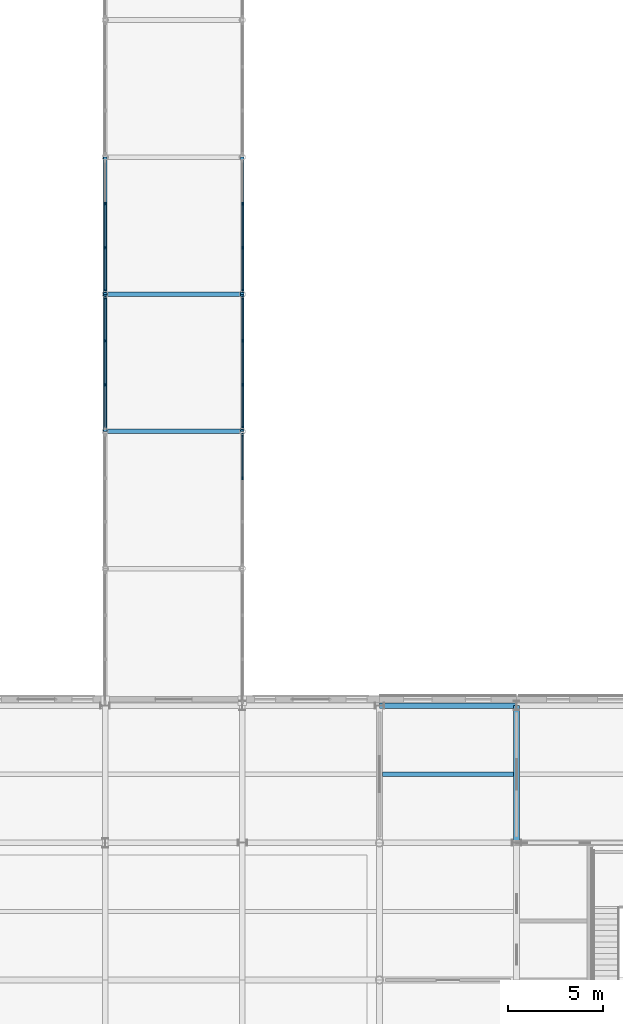
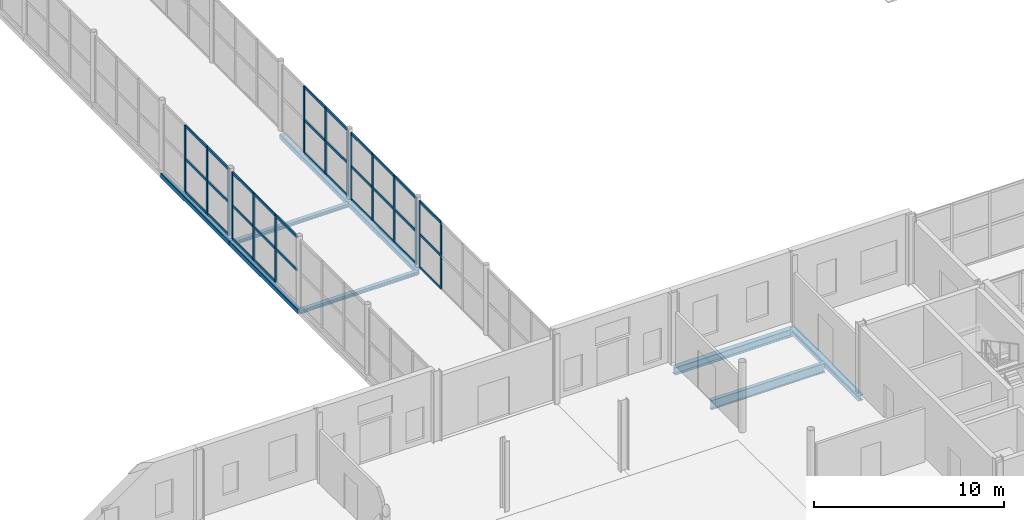
# One storey, part 29 of 92: 47 members, 9 beams, 5 elements without a shape of their own.
"""IFC4 building model written with IfcOpenShell, lengths in metres."""

from ifc_helpers import new_model, si_unit, direction, frame, origin, origin_2d, place, context, subcontext, project, spatial, rectangle, hollow_rectangle, i_section, extrude, material, material_profile, profile_set, type_object, element, aggregate, save


model = new_model("IFC4")

# Units and contexts
model_context = context("Model", 3, precision=1e-05, world=origin(), true_north=direction((0.0, 1.0)))
body_context = subcontext(model_context, "Body", "Model", "MODEL_VIEW")
ifc_project = project(units=[si_unit("LENGTHUNIT", "METRE"), si_unit("AREAUNIT", "SQUARE_METRE"), si_unit("VOLUMEUNIT", "CUBIC_METRE"), si_unit("PLANEANGLEUNIT", "RADIAN"), si_unit("MASSUNIT", "GRAM", prefix="KILO")], contexts=[model_context])

# Site, building, storey
site_placement = place(None, origin())
site = spatial("IfcSite", under=ifc_project, at=site_placement, CompositionType="ELEMENT")
building_placement = place(site_placement, origin())
building = spatial("IfcBuilding", under=site, at=building_placement, Name="Zlatovets Crest Museum", CompositionType="ELEMENT")
storey_placement = place(building_placement, origin())
storey = spatial("IfcBuildingStorey", under=building, at=storey_placement, Name="L00", CompositionType="ELEMENT", Elevation=0.0)

# Beams
ifc_material_1 = material(Name="Structural steel S355J2", Category="steel")
ifc_material_profile_1 = material_profile(ifc_material_1, i_section(OverallWidth=0.300048828125, OverallDepth=0.489990234375, WebThickness=0.011962890625, FlangeThickness=0.02294921875, FilletRadius=0.027099609375, at=origin_2d()), Name="HEA 500")
ifc_profile_set_1 = profile_set([ifc_material_profile_1], Name="Structural steel S355J2")
beam_type_1 = type_object("IfcBeamType", Name="Beam_B-01", PredefinedType="BEAM", material=ifc_profile_set_1)
beam_1_placement = place(storey_placement, frame((93.60009765625, 28.800048828125, -0.4951171875), z_axis=(1.0, 0.0, 0.0), x_axis=(0.0, 1.0, 0.0)))
element("IfcBeam", 1, at=beam_1_placement, inside=storey, type_object=beam_type_1, Name="V2 L00 Primary Girder B-01", PredefinedType="BEAM", context=body_context, shape_type="SweptSolid", body=[
    extrude(i_section(OverallWidth=0.300048828125, OverallDepth=0.489990234375, WebThickness=0.011962890625, FlangeThickness=0.02294921875, FilletRadius=0.027099609375, at=origin_2d()), origin(), (0.0, 0.0, 1.0), 7.199951171875),
])
ifc_material_profile_2 = material_profile(ifc_material_1, i_section(OverallWidth=0.300048828125, OverallDepth=0.35009765625, WebThickness=0.010009765625, FlangeThickness=0.017578125, FilletRadius=0.027099609375, at=origin_2d()), Name="HEA 360")
ifc_profile_set_2 = profile_set([ifc_material_profile_2], Name="Structural steel S355J2")
beam_type_2 = type_object("IfcBeamType", Name="Beam_B-03", PredefinedType="BEAM", material=ifc_profile_set_2)
beam_2_placement = place(storey_placement, frame((100.800048828125, 21.60009765625, -0.425048828125), z_axis=(0.0, 1.0, 0.0), x_axis=(-1.0, 0.0, 0.0)))
element("IfcBeam", 2, at=beam_2_placement, inside=storey, type_object=beam_type_2, Name="V2 L00 Grid Beam B-03", PredefinedType="BEAM", context=body_context, shape_type="SweptSolid", body=[
    extrude(i_section(OverallWidth=0.300048828125, OverallDepth=0.35009765625, WebThickness=0.010009765625, FlangeThickness=0.017578125, FilletRadius=0.027099609375, at=origin_2d()), origin(), (0.0, 0.0, 1.0), 7.199951171875),
])
ifc_material_profile_3 = material_profile(ifc_material_1, i_section(OverallWidth=0.239990234375, OverallDepth=0.22998046875, WebThickness=0.007568359375, FlangeThickness=0.011962890625, FilletRadius=0.02099609375, at=origin_2d()), Name="HEA 240")
ifc_profile_set_3 = profile_set([ifc_material_profile_3], Name="Structural steel S355J2")
beam_type_3 = type_object("IfcBeamType", Name="Beam_B-06", PredefinedType="BEAM", material=ifc_profile_set_3)
for number, where, z_axis, x_axis, name in (
    (3, (79.199951171875, 43.199951171875, -0.39990234375), (1.0, 0.0, 0.0), (0.0, 1.0, 0.0), "Central Sculpture Court Cloister and Skywalk L00 Cross Beam"),
    (4, (79.199951171875, 50.39990234375, -0.39990234375), (1.0, 0.0, 0.0), (0.0, 1.0, 0.0), "Central Sculpture Court Cloister and Skywalk L00 Cross Beam"),
):
    element("IfcBeam", number, at=place(storey_placement, frame(where, z_axis=z_axis, x_axis=x_axis)), inside=storey, type_object=beam_type_3, Name=name, PredefinedType="BEAM", context=body_context, shape_type="SweptSolid", body=[
        extrude(i_section(OverallWidth=0.239990234375, OverallDepth=0.22998046875, WebThickness=0.007568359375, FlangeThickness=0.011962890625, FilletRadius=0.02099609375, at=origin_2d()), origin(), (0.0, 0.0, 1.0), 7.199951171875),
    ])
ifc_material_profile_4 = material_profile(ifc_material_1, hollow_rectangle(XDim=0.199951171875, YDim=0.300048828125, WallThickness=0.012451171875, InnerFilletRadius=0.012451171875, OuterFilletRadius=0.02490234375, at=origin_2d()), Name="RHS 200x300x12.5")
ifc_profile_set_4 = profile_set([ifc_material_profile_4], Name="Structural steel S355J2")
beam_type_4 = type_object("IfcBeamType", Name="Beam_BRG-01", PredefinedType="BEAM", material=ifc_profile_set_4)
beam_3_placement = place(storey_placement, frame((79.199951171875, 43.199951171875, -0.39990234375), z_axis=(0.0, 1.0, 0.0), x_axis=(-1.0, 0.0, 0.0)))
element("IfcBeam", 5, at=beam_3_placement, inside=storey, type_object=beam_type_4, Name="Central Sculpture Court Cloister and Skywalk L00 Stringer Beam", PredefinedType="BEAM", context=body_context, shape_type="SweptSolid", body=[
    extrude(hollow_rectangle(XDim=0.199951171875, YDim=0.300048828125, WallThickness=0.012451171875, InnerFilletRadius=0.012451171875, OuterFilletRadius=0.02490234375, at=origin_2d()), origin(), (0.0, 0.0, 1.0), 7.199951171875),
])
beam_4_placement = place(storey_placement, frame((79.199951171875, 50.39990234375, -0.39990234375), z_axis=(0.0, 1.0, 0.0), x_axis=(-1.0, 0.0, 0.0)))
element("IfcBeam", 6, at=beam_4_placement, inside=storey, type_object=beam_type_4, Name="Central Sculpture Court Cloister and Skywalk L00 Stringer Beam", PredefinedType="BEAM", context=body_context, shape_type="SweptSolid", body=[
    extrude(hollow_rectangle(XDim=0.199951171875, YDim=0.300048828125, WallThickness=0.012451171875, InnerFilletRadius=0.012451171875, OuterFilletRadius=0.02490234375, at=origin_2d()), origin(), (0.0, 0.0, 1.0), 7.2001953125),
])
beam_5_placement = place(storey_placement, frame((86.39990234375, 43.199951171875, -0.39990234375), z_axis=(0.0, 1.0, 0.0), x_axis=(-1.0, 0.0, 0.0)))
element("IfcBeam", 7, at=beam_5_placement, inside=storey, type_object=beam_type_4, Name="Central Sculpture Court Cloister and Skywalk L00 Stringer Beam", PredefinedType="BEAM", context=body_context, shape_type="SweptSolid", body=[
    extrude(hollow_rectangle(XDim=0.199951171875, YDim=0.300048828125, WallThickness=0.012451171875, InnerFilletRadius=0.012451171875, OuterFilletRadius=0.02490234375, at=origin_2d()), origin(), (0.0, 0.0, 1.0), 7.199951171875),
])
beam_6_placement = place(storey_placement, frame((86.39990234375, 50.39990234375, -0.39990234375), z_axis=(0.0, 1.0, 0.0), x_axis=(-1.0, 0.0, 0.0)))
element("IfcBeam", 8, at=beam_6_placement, inside=storey, type_object=beam_type_4, Name="Central Sculpture Court Cloister and Skywalk L00 Stringer Beam", PredefinedType="BEAM", context=body_context, shape_type="SweptSolid", body=[
    extrude(hollow_rectangle(XDim=0.199951171875, YDim=0.300048828125, WallThickness=0.012451171875, InnerFilletRadius=0.012451171875, OuterFilletRadius=0.02490234375, at=origin_2d()), origin(), (0.0, 0.0, 1.0), 7.2001953125),
])
ifc_material_profile_5 = material_profile(ifc_material_1, i_section(OverallWidth=0.219970703125, OverallDepth=0.60009765625, WebThickness=0.011962890625, FlangeThickness=0.01904296875, FilletRadius=0.02392578125, at=origin_2d()), Name="IPE 600")
ifc_profile_set_5 = profile_set([ifc_material_profile_5], Name="Structural steel S355J2")
beam_type_5 = type_object("IfcBeamType", Name="Beam_J-08", PredefinedType="BEAM", material=ifc_profile_set_5)
beam_7_placement = place(storey_placement, frame((93.75, 25.199951171875, -0.550048828125), z_axis=(1.0, 0.0, 0.0), x_axis=(0.0, 1.0, 0.0)))
element("IfcBeam", 9, at=beam_7_placement, inside=storey, type_object=beam_type_5, Name="V2 L00 Composite Joist J-08", PredefinedType="BEAM", context=body_context, shape_type="SweptSolid", body=[
    extrude(i_section(OverallWidth=0.219970703125, OverallDepth=0.60009765625, WebThickness=0.011962890625, FlangeThickness=0.01904296875, FilletRadius=0.02392578125, at=origin_2d()), origin(), (0.0, 0.0, 1.0), 6.89990234375),
])

# Curtain wall, members
ifc_material_2 = material(Name="Bronze-anodised aluminium and low-E triple glass", Category="aluminium")
curtain_wall_type = type_object("IfcCurtainWallType", Name="CW_CW-BR5-L00-S69", PredefinedType="NOTDEFINED", material=ifc_material_2)
curtain_wall_1_placement = place(storey_placement, origin())
curtain_wall_1 = element("IfcCurtainWall", 10, at=curtain_wall_1_placement, inside=storey, type_object=curtain_wall_type, Name="Central Sculpture Court Cloister and Skywalk L00 Glazed Bridge Curtain Wall", PredefinedType="NOTDEFINED")
ifc_material_3 = material(Name="Bronze-anodised aluminium EN AW-6060", Category="aluminium")
ifc_material_profile_6 = material_profile(ifc_material_3, rectangle(XDim=0.080078125, YDim=0.159912109375, at=origin_2d()), Name="ALU 80x160")
ifc_profile_set_6 = profile_set([ifc_material_profile_6], Name="Bronze-anodised aluminium EN AW-6060")
member_type_1 = type_object("IfcMemberType", Name="CWMull_M1", PredefinedType="MULLION", material=ifc_profile_set_6)
member_1_placement = place(storey_placement, frame((79.199951171875, 45.64990234375, 0.0), z_axis=(0.0, 0.0, 1.0), x_axis=(-1.0, 0.0, 0.0)))
member_1 = element("IfcMember", 11, at=member_1_placement, type_object=member_type_1, Name="CW-BR5-L00-S69 mullion 2", PredefinedType="MULLION", context=body_context, shape_type="SweptSolid", body=[
    extrude(rectangle(XDim=0.080078125, YDim=0.159912109375, at=origin_2d()), origin(), (0.0, 0.0, 1.0), 4.280029296875),
])
member_2_placement = place(storey_placement, frame((79.199951171875, 47.949951171875, 0.0), z_axis=(0.0, 0.0, 1.0), x_axis=(-1.0, 0.0, 0.0)))
member_2 = element("IfcMember", 12, at=member_2_placement, type_object=member_type_1, Name="CW-BR5-L00-S69 mullion 3", PredefinedType="MULLION", context=body_context, shape_type="SweptSolid", body=[
    extrude(rectangle(XDim=0.080078125, YDim=0.159912109375, at=origin_2d()), origin(), (0.0, 0.0, 1.0), 4.280029296875),
])
member_3_placement = place(storey_placement, frame((79.199951171875, 50.219970703125, 0.0), z_axis=(0.0, 0.0, 1.0), x_axis=(-1.0, 0.0, 0.0)))
member_3 = element("IfcMember", 13, at=member_3_placement, type_object=member_type_1, Name="CW-BR5-L00-S69 mullion 4", PredefinedType="MULLION", context=body_context, shape_type="SweptSolid", body=[
    extrude(rectangle(XDim=0.080078125, YDim=0.159912109375, at=origin_2d()), origin(), (0.0, 0.0, 1.0), 4.280029296875),
])

curtain_wall_2_placement = place(storey_placement, origin())
curtain_wall_2 = element("IfcCurtainWall", 14, at=curtain_wall_2_placement, inside=storey, type_object=curtain_wall_type, Name="Central Sculpture Court Cloister and Skywalk L00 Glazed Bridge Curtain Wall", PredefinedType="NOTDEFINED")
member_4_placement = place(storey_placement, frame((79.199951171875, 50.580078125, 0.0), z_axis=(0.0, 0.0, 1.0), x_axis=(-1.0, 0.0, 0.0)))
member_4 = element("IfcMember", 15, at=member_4_placement, type_object=member_type_1, Name="CW-BR5-L00-S69 mullion 1", PredefinedType="MULLION", context=body_context, shape_type="SweptSolid", body=[
    extrude(rectangle(XDim=0.080078125, YDim=0.159912109375, at=origin_2d()), origin(), (0.0, 0.0, 1.0), 4.280029296875),
])
member_5_placement = place(storey_placement, frame((79.199951171875, 52.85009765625, 0.0), z_axis=(0.0, 0.0, 1.0), x_axis=(-1.0, 0.0, 0.0)))
member_5 = element("IfcMember", 16, at=member_5_placement, type_object=member_type_1, Name="CW-BR5-L00-S69 mullion 2", PredefinedType="MULLION", context=body_context, shape_type="SweptSolid", body=[
    extrude(rectangle(XDim=0.080078125, YDim=0.159912109375, at=origin_2d()), origin(), (0.0, 0.0, 1.0), 4.280029296875),
])
member_6_placement = place(storey_placement, frame((79.199951171875, 55.14990234375, 0.0), z_axis=(0.0, 0.0, 1.0), x_axis=(-1.0, 0.0, 0.0)))
member_6 = element("IfcMember", 17, at=member_6_placement, type_object=member_type_1, Name="CW-BR5-L00-S69 mullion 3", PredefinedType="MULLION", context=body_context, shape_type="SweptSolid", body=[
    extrude(rectangle(XDim=0.080078125, YDim=0.159912109375, at=origin_2d()), origin(), (0.0, 0.0, 1.0), 4.280029296875),
])

curtain_wall_3_placement = place(storey_placement, origin())
curtain_wall_3 = element("IfcCurtainWall", 18, at=curtain_wall_3_placement, inside=storey, type_object=curtain_wall_type, Name="Central Sculpture Court Cloister and Skywalk L00 Glazed Bridge Curtain Wall", PredefinedType="NOTDEFINED")
member_7_placement = place(storey_placement, frame((86.39990234375, 40.75, 0.0), z_axis=(0.0, 0.0, 1.0), x_axis=(-1.0, 0.0, 0.0)))
member_7 = element("IfcMember", 19, at=member_7_placement, type_object=member_type_1, Name="CW-BR5-L00-S69 mullion 3", PredefinedType="MULLION", context=body_context, shape_type="SweptSolid", body=[
    extrude(rectangle(XDim=0.080078125, YDim=0.159912109375, at=origin_2d()), origin(), (0.0, 0.0, 1.0), 4.280029296875),
])
member_8_placement = place(storey_placement, frame((86.39990234375, 43.02001953125, 0.0), z_axis=(0.0, 0.0, 1.0), x_axis=(-1.0, 0.0, 0.0)))
member_8 = element("IfcMember", 20, at=member_8_placement, type_object=member_type_1, Name="CW-BR5-L00-S69 mullion 4", PredefinedType="MULLION", context=body_context, shape_type="SweptSolid", body=[
    extrude(rectangle(XDim=0.080078125, YDim=0.159912109375, at=origin_2d()), origin(), (0.0, 0.0, 1.0), 4.280029296875),
])

curtain_wall_4_placement = place(storey_placement, origin())
curtain_wall_4 = element("IfcCurtainWall", 21, at=curtain_wall_4_placement, inside=storey, type_object=curtain_wall_type, Name="Central Sculpture Court Cloister and Skywalk L00 Glazed Bridge Curtain Wall", PredefinedType="NOTDEFINED")
member_9_placement = place(storey_placement, frame((86.39990234375, 43.3798828125, 0.0), z_axis=(0.0, 0.0, 1.0), x_axis=(-1.0, 0.0, 0.0)))
member_9 = element("IfcMember", 22, at=member_9_placement, type_object=member_type_1, Name="CW-BR5-L00-S69 mullion 1", PredefinedType="MULLION", context=body_context, shape_type="SweptSolid", body=[
    extrude(rectangle(XDim=0.080078125, YDim=0.159912109375, at=origin_2d()), origin(), (0.0, 0.0, 1.0), 4.280029296875),
])
member_10_placement = place(storey_placement, frame((86.39990234375, 45.64990234375, 0.0), z_axis=(0.0, 0.0, 1.0), x_axis=(-1.0, 0.0, 0.0)))
member_10 = element("IfcMember", 23, at=member_10_placement, type_object=member_type_1, Name="CW-BR5-L00-S69 mullion 2", PredefinedType="MULLION", context=body_context, shape_type="SweptSolid", body=[
    extrude(rectangle(XDim=0.080078125, YDim=0.159912109375, at=origin_2d()), origin(), (0.0, 0.0, 1.0), 4.280029296875),
])
member_11_placement = place(storey_placement, frame((86.39990234375, 47.949951171875, 0.0), z_axis=(0.0, 0.0, 1.0), x_axis=(-1.0, 0.0, 0.0)))
member_11 = element("IfcMember", 24, at=member_11_placement, type_object=member_type_1, Name="CW-BR5-L00-S69 mullion 3", PredefinedType="MULLION", context=body_context, shape_type="SweptSolid", body=[
    extrude(rectangle(XDim=0.080078125, YDim=0.159912109375, at=origin_2d()), origin(), (0.0, 0.0, 1.0), 4.280029296875),
])
member_12_placement = place(storey_placement, frame((86.39990234375, 50.219970703125, 0.0), z_axis=(0.0, 0.0, 1.0), x_axis=(-1.0, 0.0, 0.0)))
member_12 = element("IfcMember", 25, at=member_12_placement, type_object=member_type_1, Name="CW-BR5-L00-S69 mullion 4", PredefinedType="MULLION", context=body_context, shape_type="SweptSolid", body=[
    extrude(rectangle(XDim=0.080078125, YDim=0.159912109375, at=origin_2d()), origin(), (0.0, 0.0, 1.0), 4.280029296875),
])

curtain_wall_5_placement = place(storey_placement, origin())
curtain_wall_5 = element("IfcCurtainWall", 26, at=curtain_wall_5_placement, inside=storey, type_object=curtain_wall_type, Name="Central Sculpture Court Cloister and Skywalk L00 Glazed Bridge Curtain Wall", PredefinedType="NOTDEFINED")
member_13_placement = place(storey_placement, frame((86.39990234375, 50.580078125, 0.0), z_axis=(0.0, 0.0, 1.0), x_axis=(-1.0, 0.0, 0.0)))
member_13 = element("IfcMember", 27, at=member_13_placement, type_object=member_type_1, Name="CW-BR5-L00-S69 mullion 1", PredefinedType="MULLION", context=body_context, shape_type="SweptSolid", body=[
    extrude(rectangle(XDim=0.080078125, YDim=0.159912109375, at=origin_2d()), origin(), (0.0, 0.0, 1.0), 4.280029296875),
])
member_14_placement = place(storey_placement, frame((86.39990234375, 52.85009765625, 0.0), z_axis=(0.0, 0.0, 1.0), x_axis=(-1.0, 0.0, 0.0)))
member_14 = element("IfcMember", 28, at=member_14_placement, type_object=member_type_1, Name="CW-BR5-L00-S69 mullion 2", PredefinedType="MULLION", context=body_context, shape_type="SweptSolid", body=[
    extrude(rectangle(XDim=0.080078125, YDim=0.159912109375, at=origin_2d()), origin(), (0.0, 0.0, 1.0), 4.280029296875),
])
member_15_placement = place(storey_placement, frame((86.39990234375, 55.14990234375, 0.0), z_axis=(0.0, 0.0, 1.0), x_axis=(-1.0, 0.0, 0.0)))
member_15 = element("IfcMember", 29, at=member_15_placement, type_object=member_type_1, Name="CW-BR5-L00-S69 mullion 3", PredefinedType="MULLION", context=body_context, shape_type="SweptSolid", body=[
    extrude(rectangle(XDim=0.080078125, YDim=0.159912109375, at=origin_2d()), origin(), (0.0, 0.0, 1.0), 4.280029296875),
])

# Member
ifc_material_profile_7 = material_profile(ifc_material_3, rectangle(XDim=0.080078125, YDim=0.159912109375, at=origin_2d()), Name="ALU 80x160")
ifc_profile_set_7 = profile_set([ifc_material_profile_7], Name="Bronze-anodised aluminium EN AW-6060")
member_type_2 = type_object("IfcMemberType", Name="CWTrans_T1", PredefinedType="USERDEFINED", material=ifc_profile_set_7)
member_16_placement = place(storey_placement, frame((79.199951171875, 43.409912109375, 2.139892578125), z_axis=(0.0, 1.0, 0.0), x_axis=(-1.0, 0.0, 0.0)))
member_16 = element("IfcMember", 30, at=member_16_placement, type_object=member_type_2, Name="CW-BR5-L00-S69 transom 1.2", ObjectType="TRANSOM", PredefinedType="USERDEFINED", context=body_context, shape_type="SweptSolid", body=[
    extrude(rectangle(XDim=0.080078125, YDim=0.159912109375, at=origin_2d()), origin(), (0.0, 0.0, 1.0), 2.210205078125),
])

member_17_placement = place(storey_placement, frame((79.199951171875, 43.409912109375, 4.25), z_axis=(0.0, 1.0, 0.0), x_axis=(-1.0, 0.0, 0.0)))
member_17 = element("IfcMember", 31, at=member_17_placement, type_object=member_type_2, Name="CW-BR5-L00-S69 transom 1.3", ObjectType="TRANSOM", PredefinedType="USERDEFINED", context=body_context, shape_type="SweptSolid", body=[
    extrude(rectangle(XDim=0.080078125, YDim=0.159912109375, at=origin_2d()), origin(), (0.0, 0.0, 1.0), 2.210205078125),
])

member_18_placement = place(storey_placement, frame((79.199951171875, 45.679931640625, 0.030029296875), z_axis=(0.0, 1.0, 0.0), x_axis=(-1.0, 0.0, 0.0)))
member_18 = element("IfcMember", 32, at=member_18_placement, type_object=member_type_2, Name="CW-BR5-L00-S69 transom 2.1", ObjectType="TRANSOM", PredefinedType="USERDEFINED", context=body_context, shape_type="SweptSolid", body=[
    extrude(rectangle(XDim=0.080078125, YDim=0.159912109375, at=origin_2d()), origin(), (0.0, 0.0, 1.0), 2.239990234375),
])

member_19_placement = place(storey_placement, frame((79.199951171875, 45.679931640625, 2.139892578125), z_axis=(0.0, 1.0, 0.0), x_axis=(-1.0, 0.0, 0.0)))
member_19 = element("IfcMember", 33, at=member_19_placement, type_object=member_type_2, Name="CW-BR5-L00-S69 transom 2.2", ObjectType="TRANSOM", PredefinedType="USERDEFINED", context=body_context, shape_type="SweptSolid", body=[
    extrude(rectangle(XDim=0.080078125, YDim=0.159912109375, at=origin_2d()), origin(), (0.0, 0.0, 1.0), 2.239990234375),
])

member_20_placement = place(storey_placement, frame((79.199951171875, 45.679931640625, 4.25), z_axis=(0.0, 1.0, 0.0), x_axis=(-1.0, 0.0, 0.0)))
member_20 = element("IfcMember", 34, at=member_20_placement, type_object=member_type_2, Name="CW-BR5-L00-S69 transom 2.3", ObjectType="TRANSOM", PredefinedType="USERDEFINED", context=body_context, shape_type="SweptSolid", body=[
    extrude(rectangle(XDim=0.080078125, YDim=0.159912109375, at=origin_2d()), origin(), (0.0, 0.0, 1.0), 2.239990234375),
])

member_21_placement = place(storey_placement, frame((79.199951171875, 47.97998046875, 0.030029296875), z_axis=(0.0, 1.0, 0.0), x_axis=(-1.0, 0.0, 0.0)))
member_21 = element("IfcMember", 35, at=member_21_placement, type_object=member_type_2, Name="CW-BR5-L00-S69 transom 3.1", ObjectType="TRANSOM", PredefinedType="USERDEFINED", context=body_context, shape_type="SweptSolid", body=[
    extrude(rectangle(XDim=0.080078125, YDim=0.159912109375, at=origin_2d()), origin(), (0.0, 0.0, 1.0), 2.2099609375),
])

member_22_placement = place(storey_placement, frame((79.199951171875, 47.97998046875, 2.139892578125), z_axis=(0.0, 1.0, 0.0), x_axis=(-1.0, 0.0, 0.0)))
member_22 = element("IfcMember", 36, at=member_22_placement, type_object=member_type_2, Name="CW-BR5-L00-S69 transom 3.2", ObjectType="TRANSOM", PredefinedType="USERDEFINED", context=body_context, shape_type="SweptSolid", body=[
    extrude(rectangle(XDim=0.080078125, YDim=0.159912109375, at=origin_2d()), origin(), (0.0, 0.0, 1.0), 2.2099609375),
])

member_23_placement = place(storey_placement, frame((79.199951171875, 47.97998046875, 4.25), z_axis=(0.0, 1.0, 0.0), x_axis=(-1.0, 0.0, 0.0)))
member_23 = element("IfcMember", 37, at=member_23_placement, type_object=member_type_2, Name="CW-BR5-L00-S69 transom 3.3", ObjectType="TRANSOM", PredefinedType="USERDEFINED", context=body_context, shape_type="SweptSolid", body=[
    extrude(rectangle(XDim=0.080078125, YDim=0.159912109375, at=origin_2d()), origin(), (0.0, 0.0, 1.0), 2.2099609375),
])

aggregate(curtain_wall_1, [member_1, member_2, member_3, member_16, member_17, member_18, member_19, member_20, member_21, member_22, member_23])

member_24_placement = place(storey_placement, frame((79.199951171875, 50.610107421875, 0.030029296875), z_axis=(0.0, 1.0, 0.0), x_axis=(-1.0, 0.0, 0.0)))
member_24 = element("IfcMember", 38, at=member_24_placement, type_object=member_type_2, Name="CW-BR5-L00-S69 transom 1.1", ObjectType="TRANSOM", PredefinedType="USERDEFINED", context=body_context, shape_type="SweptSolid", body=[
    extrude(rectangle(XDim=0.080078125, YDim=0.159912109375, at=origin_2d()), origin(), (0.0, 0.0, 1.0), 2.2099609375),
])

member_25_placement = place(storey_placement, frame((79.199951171875, 50.610107421875, 2.139892578125), z_axis=(0.0, 1.0, 0.0), x_axis=(-1.0, 0.0, 0.0)))
member_25 = element("IfcMember", 39, at=member_25_placement, type_object=member_type_2, Name="CW-BR5-L00-S69 transom 1.2", ObjectType="TRANSOM", PredefinedType="USERDEFINED", context=body_context, shape_type="SweptSolid", body=[
    extrude(rectangle(XDim=0.080078125, YDim=0.159912109375, at=origin_2d()), origin(), (0.0, 0.0, 1.0), 2.2099609375),
])

member_26_placement = place(storey_placement, frame((79.199951171875, 50.610107421875, 4.25), z_axis=(0.0, 1.0, 0.0), x_axis=(-1.0, 0.0, 0.0)))
member_26 = element("IfcMember", 40, at=member_26_placement, type_object=member_type_2, Name="CW-BR5-L00-S69 transom 1.3", ObjectType="TRANSOM", PredefinedType="USERDEFINED", context=body_context, shape_type="SweptSolid", body=[
    extrude(rectangle(XDim=0.080078125, YDim=0.159912109375, at=origin_2d()), origin(), (0.0, 0.0, 1.0), 2.2099609375),
])

member_27_placement = place(storey_placement, frame((79.199951171875, 52.8798828125, 0.030029296875), z_axis=(0.0, 1.0, 0.0), x_axis=(-1.0, 0.0, 0.0)))
member_27 = element("IfcMember", 41, at=member_27_placement, type_object=member_type_2, Name="CW-BR5-L00-S69 transom 2.1", ObjectType="TRANSOM", PredefinedType="USERDEFINED", context=body_context, shape_type="SweptSolid", body=[
    extrude(rectangle(XDim=0.080078125, YDim=0.159912109375, at=origin_2d()), origin(), (0.0, 0.0, 1.0), 2.240234375),
])

member_28_placement = place(storey_placement, frame((79.199951171875, 52.8798828125, 2.139892578125), z_axis=(0.0, 1.0, 0.0), x_axis=(-1.0, 0.0, 0.0)))
member_28 = element("IfcMember", 42, at=member_28_placement, type_object=member_type_2, Name="CW-BR5-L00-S69 transom 2.2", ObjectType="TRANSOM", PredefinedType="USERDEFINED", context=body_context, shape_type="SweptSolid", body=[
    extrude(rectangle(XDim=0.080078125, YDim=0.159912109375, at=origin_2d()), origin(), (0.0, 0.0, 1.0), 2.240234375),
])

member_29_placement = place(storey_placement, frame((79.199951171875, 52.8798828125, 4.25), z_axis=(0.0, 1.0, 0.0), x_axis=(-1.0, 0.0, 0.0)))
member_29 = element("IfcMember", 43, at=member_29_placement, type_object=member_type_2, Name="CW-BR5-L00-S69 transom 2.3", ObjectType="TRANSOM", PredefinedType="USERDEFINED", context=body_context, shape_type="SweptSolid", body=[
    extrude(rectangle(XDim=0.080078125, YDim=0.159912109375, at=origin_2d()), origin(), (0.0, 0.0, 1.0), 2.240234375),
])

aggregate(curtain_wall_2, [member_4, member_5, member_6, member_24, member_25, member_26, member_27, member_28, member_29])

member_30_placement = place(storey_placement, frame((86.39990234375, 40.780029296875, 0.030029296875), z_axis=(0.0, 1.0, 0.0), x_axis=(-1.0, 0.0, 0.0)))
member_30 = element("IfcMember", 44, at=member_30_placement, type_object=member_type_2, Name="CW-BR5-L00-S69 transom 3.1", ObjectType="TRANSOM", PredefinedType="USERDEFINED", context=body_context, shape_type="SweptSolid", body=[
    extrude(rectangle(XDim=0.080078125, YDim=0.159912109375, at=origin_2d()), origin(), (0.0, 0.0, 1.0), 2.2099609375),
])

member_31_placement = place(storey_placement, frame((86.39990234375, 40.780029296875, 2.139892578125), z_axis=(0.0, 1.0, 0.0), x_axis=(-1.0, 0.0, 0.0)))
member_31 = element("IfcMember", 45, at=member_31_placement, type_object=member_type_2, Name="CW-BR5-L00-S69 transom 3.2", ObjectType="TRANSOM", PredefinedType="USERDEFINED", context=body_context, shape_type="SweptSolid", body=[
    extrude(rectangle(XDim=0.080078125, YDim=0.159912109375, at=origin_2d()), origin(), (0.0, 0.0, 1.0), 2.2099609375),
])

member_32_placement = place(storey_placement, frame((86.39990234375, 40.780029296875, 4.25), z_axis=(0.0, 1.0, 0.0), x_axis=(-1.0, 0.0, 0.0)))
member_32 = element("IfcMember", 46, at=member_32_placement, type_object=member_type_2, Name="CW-BR5-L00-S69 transom 3.3", ObjectType="TRANSOM", PredefinedType="USERDEFINED", context=body_context, shape_type="SweptSolid", body=[
    extrude(rectangle(XDim=0.080078125, YDim=0.159912109375, at=origin_2d()), origin(), (0.0, 0.0, 1.0), 2.2099609375),
])

aggregate(curtain_wall_3, [member_7, member_8, member_30, member_31, member_32])

member_33_placement = place(storey_placement, frame((86.39990234375, 43.409912109375, 0.030029296875), z_axis=(0.0, 1.0, 0.0), x_axis=(-1.0, 0.0, 0.0)))
member_33 = element("IfcMember", 47, at=member_33_placement, type_object=member_type_2, Name="CW-BR5-L00-S69 transom 1.1", ObjectType="TRANSOM", PredefinedType="USERDEFINED", context=body_context, shape_type="SweptSolid", body=[
    extrude(rectangle(XDim=0.080078125, YDim=0.159912109375, at=origin_2d()), origin(), (0.0, 0.0, 1.0), 2.210205078125),
])

member_34_placement = place(storey_placement, frame((86.39990234375, 43.409912109375, 2.139892578125), z_axis=(0.0, 1.0, 0.0), x_axis=(-1.0, 0.0, 0.0)))
member_34 = element("IfcMember", 48, at=member_34_placement, type_object=member_type_2, Name="CW-BR5-L00-S69 transom 1.2", ObjectType="TRANSOM", PredefinedType="USERDEFINED", context=body_context, shape_type="SweptSolid", body=[
    extrude(rectangle(XDim=0.080078125, YDim=0.159912109375, at=origin_2d()), origin(), (0.0, 0.0, 1.0), 2.210205078125),
])

member_35_placement = place(storey_placement, frame((86.39990234375, 43.409912109375, 4.25), z_axis=(0.0, 1.0, 0.0), x_axis=(-1.0, 0.0, 0.0)))
member_35 = element("IfcMember", 49, at=member_35_placement, type_object=member_type_2, Name="CW-BR5-L00-S69 transom 1.3", ObjectType="TRANSOM", PredefinedType="USERDEFINED", context=body_context, shape_type="SweptSolid", body=[
    extrude(rectangle(XDim=0.080078125, YDim=0.159912109375, at=origin_2d()), origin(), (0.0, 0.0, 1.0), 2.210205078125),
])

member_36_placement = place(storey_placement, frame((86.39990234375, 45.679931640625, 0.030029296875), z_axis=(0.0, 1.0, 0.0), x_axis=(-1.0, 0.0, 0.0)))
member_36 = element("IfcMember", 50, at=member_36_placement, type_object=member_type_2, Name="CW-BR5-L00-S69 transom 2.1", ObjectType="TRANSOM", PredefinedType="USERDEFINED", context=body_context, shape_type="SweptSolid", body=[
    extrude(rectangle(XDim=0.080078125, YDim=0.159912109375, at=origin_2d()), origin(), (0.0, 0.0, 1.0), 2.239990234375),
])

member_37_placement = place(storey_placement, frame((86.39990234375, 45.679931640625, 2.139892578125), z_axis=(0.0, 1.0, 0.0), x_axis=(-1.0, 0.0, 0.0)))
member_37 = element("IfcMember", 51, at=member_37_placement, type_object=member_type_2, Name="CW-BR5-L00-S69 transom 2.2", ObjectType="TRANSOM", PredefinedType="USERDEFINED", context=body_context, shape_type="SweptSolid", body=[
    extrude(rectangle(XDim=0.080078125, YDim=0.159912109375, at=origin_2d()), origin(), (0.0, 0.0, 1.0), 2.239990234375),
])

member_38_placement = place(storey_placement, frame((86.39990234375, 45.679931640625, 4.25), z_axis=(0.0, 1.0, 0.0), x_axis=(-1.0, 0.0, 0.0)))
member_38 = element("IfcMember", 52, at=member_38_placement, type_object=member_type_2, Name="CW-BR5-L00-S69 transom 2.3", ObjectType="TRANSOM", PredefinedType="USERDEFINED", context=body_context, shape_type="SweptSolid", body=[
    extrude(rectangle(XDim=0.080078125, YDim=0.159912109375, at=origin_2d()), origin(), (0.0, 0.0, 1.0), 2.239990234375),
])

member_39_placement = place(storey_placement, frame((86.39990234375, 47.97998046875, 0.030029296875), z_axis=(0.0, 1.0, 0.0), x_axis=(-1.0, 0.0, 0.0)))
member_39 = element("IfcMember", 53, at=member_39_placement, type_object=member_type_2, Name="CW-BR5-L00-S69 transom 3.1", ObjectType="TRANSOM", PredefinedType="USERDEFINED", context=body_context, shape_type="SweptSolid", body=[
    extrude(rectangle(XDim=0.080078125, YDim=0.159912109375, at=origin_2d()), origin(), (0.0, 0.0, 1.0), 2.2099609375),
])

member_40_placement = place(storey_placement, frame((86.39990234375, 47.97998046875, 2.139892578125), z_axis=(0.0, 1.0, 0.0), x_axis=(-1.0, 0.0, 0.0)))
member_40 = element("IfcMember", 54, at=member_40_placement, type_object=member_type_2, Name="CW-BR5-L00-S69 transom 3.2", ObjectType="TRANSOM", PredefinedType="USERDEFINED", context=body_context, shape_type="SweptSolid", body=[
    extrude(rectangle(XDim=0.080078125, YDim=0.159912109375, at=origin_2d()), origin(), (0.0, 0.0, 1.0), 2.2099609375),
])

member_41_placement = place(storey_placement, frame((86.39990234375, 47.97998046875, 4.25), z_axis=(0.0, 1.0, 0.0), x_axis=(-1.0, 0.0, 0.0)))
member_41 = element("IfcMember", 55, at=member_41_placement, type_object=member_type_2, Name="CW-BR5-L00-S69 transom 3.3", ObjectType="TRANSOM", PredefinedType="USERDEFINED", context=body_context, shape_type="SweptSolid", body=[
    extrude(rectangle(XDim=0.080078125, YDim=0.159912109375, at=origin_2d()), origin(), (0.0, 0.0, 1.0), 2.2099609375),
])

aggregate(curtain_wall_4, [member_9, member_10, member_11, member_12, member_33, member_34, member_35, member_36, member_37, member_38, member_39, member_40, member_41])

member_42_placement = place(storey_placement, frame((86.39990234375, 50.610107421875, 0.030029296875), z_axis=(0.0, 1.0, 0.0), x_axis=(-1.0, 0.0, 0.0)))
member_42 = element("IfcMember", 56, at=member_42_placement, type_object=member_type_2, Name="CW-BR5-L00-S69 transom 1.1", ObjectType="TRANSOM", PredefinedType="USERDEFINED", context=body_context, shape_type="SweptSolid", body=[
    extrude(rectangle(XDim=0.080078125, YDim=0.159912109375, at=origin_2d()), origin(), (0.0, 0.0, 1.0), 2.2099609375),
])

member_43_placement = place(storey_placement, frame((86.39990234375, 50.610107421875, 2.139892578125), z_axis=(0.0, 1.0, 0.0), x_axis=(-1.0, 0.0, 0.0)))
member_43 = element("IfcMember", 57, at=member_43_placement, type_object=member_type_2, Name="CW-BR5-L00-S69 transom 1.2", ObjectType="TRANSOM", PredefinedType="USERDEFINED", context=body_context, shape_type="SweptSolid", body=[
    extrude(rectangle(XDim=0.080078125, YDim=0.159912109375, at=origin_2d()), origin(), (0.0, 0.0, 1.0), 2.2099609375),
])

member_44_placement = place(storey_placement, frame((86.39990234375, 50.610107421875, 4.25), z_axis=(0.0, 1.0, 0.0), x_axis=(-1.0, 0.0, 0.0)))
member_44 = element("IfcMember", 58, at=member_44_placement, type_object=member_type_2, Name="CW-BR5-L00-S69 transom 1.3", ObjectType="TRANSOM", PredefinedType="USERDEFINED", context=body_context, shape_type="SweptSolid", body=[
    extrude(rectangle(XDim=0.080078125, YDim=0.159912109375, at=origin_2d()), origin(), (0.0, 0.0, 1.0), 2.2099609375),
])

member_45_placement = place(storey_placement, frame((86.39990234375, 52.8798828125, 0.030029296875), z_axis=(0.0, 1.0, 0.0), x_axis=(-1.0, 0.0, 0.0)))
member_45 = element("IfcMember", 59, at=member_45_placement, type_object=member_type_2, Name="CW-BR5-L00-S69 transom 2.1", ObjectType="TRANSOM", PredefinedType="USERDEFINED", context=body_context, shape_type="SweptSolid", body=[
    extrude(rectangle(XDim=0.080078125, YDim=0.159912109375, at=origin_2d()), origin(), (0.0, 0.0, 1.0), 2.240234375),
])

member_46_placement = place(storey_placement, frame((86.39990234375, 52.8798828125, 2.139892578125), z_axis=(0.0, 1.0, 0.0), x_axis=(-1.0, 0.0, 0.0)))
member_46 = element("IfcMember", 60, at=member_46_placement, type_object=member_type_2, Name="CW-BR5-L00-S69 transom 2.2", ObjectType="TRANSOM", PredefinedType="USERDEFINED", context=body_context, shape_type="SweptSolid", body=[
    extrude(rectangle(XDim=0.080078125, YDim=0.159912109375, at=origin_2d()), origin(), (0.0, 0.0, 1.0), 2.240234375),
])

member_47_placement = place(storey_placement, frame((86.39990234375, 52.8798828125, 4.25), z_axis=(0.0, 1.0, 0.0), x_axis=(-1.0, 0.0, 0.0)))
member_47 = element("IfcMember", 61, at=member_47_placement, type_object=member_type_2, Name="CW-BR5-L00-S69 transom 2.3", ObjectType="TRANSOM", PredefinedType="USERDEFINED", context=body_context, shape_type="SweptSolid", body=[
    extrude(rectangle(XDim=0.080078125, YDim=0.159912109375, at=origin_2d()), origin(), (0.0, 0.0, 1.0), 2.240234375),
])

aggregate(curtain_wall_5, [member_13, member_14, member_15, member_42, member_43, member_44, member_45, member_46, member_47])

save(model, "model.ifc")
